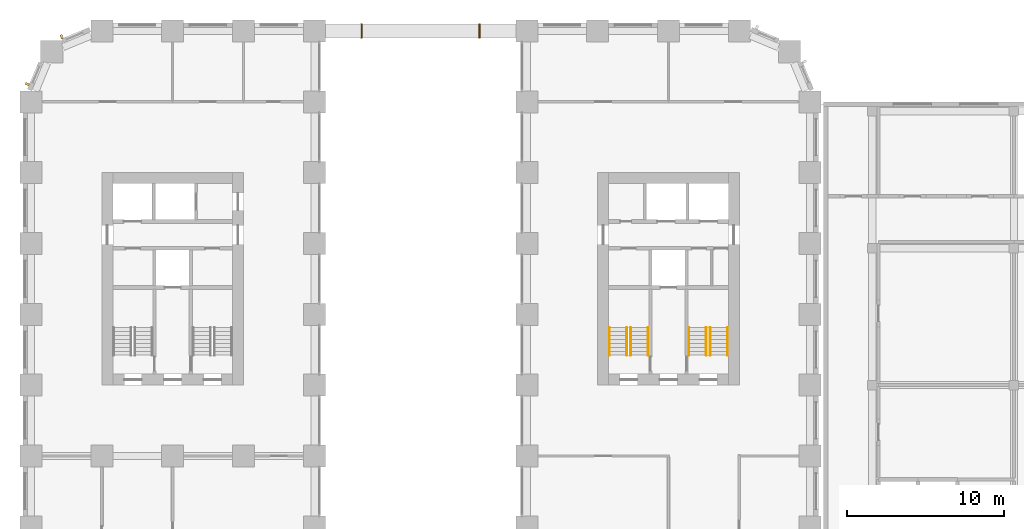
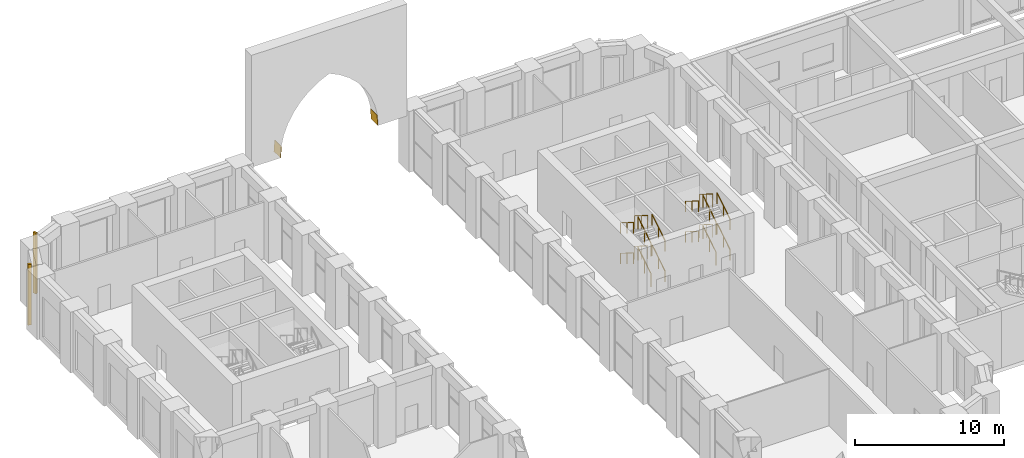
# One storey, part 22 of 25: 16 railings, 2 coverings, 2 shading devices.
"""IFC4 building model written with IfcOpenShell, lengths in metres."""

from ifc_helpers import new_model, si_unit, direction, frame, origin, origin_2d, place, context, subcontext, project, spatial, polyline, rectangle, circle, outline, extrude, material, layer, layer_set, type_object, element, save


model = new_model("IFC4")

# Units and contexts
model_context = context("Model", 3, precision=1e-05, world=origin(), true_north=direction((0.0, 1.0)))
body_context = subcontext(model_context, "Body", "Model", "MODEL_VIEW")
ifc_project = project(units=[si_unit("LENGTHUNIT", "METRE"), si_unit("AREAUNIT", "SQUARE_METRE"), si_unit("VOLUMEUNIT", "CUBIC_METRE"), si_unit("PLANEANGLEUNIT", "RADIAN"), si_unit("MASSUNIT", "GRAM", prefix="KILO")], contexts=[model_context])

# Site, building, storey
site_placement = place(None, origin())
site = spatial("IfcSite", under=ifc_project, at=site_placement, CompositionType="ELEMENT")
building_placement = place(site_placement, origin())
building = spatial("IfcBuilding", under=site, at=building_placement, Name="Girih Gate Residences", CompositionType="ELEMENT")
storey_placement = place(building_placement, frame((0.0, 0.0, 6.0)))
storey = spatial("IfcBuildingStorey", under=building, at=storey_placement, Name="L01", CompositionType="ELEMENT", Elevation=6.0)

# Shading devices
ifc_material_1 = material(Name="Precast concrete C50/60", Category="concrete")
shading_device_type = type_object("IfcShadingDeviceType", Name="Corner rib 150x250", PredefinedType="USERDEFINED", material=ifc_material_1)
for number, where, z_axis, x_axis, name in (
    (1, (1.9443359375, 49.14501953125, 0.0), (0.0, 0.0, 1.0), (-0.923879532511, -0.382683432365, 0.0), "Corner rib NW0045_0495.0"),
    (2, (-0.238037109375, 46.123779296875, 0.0), (0.0, 0.0, 1.0), (-0.382683432365, -0.923879532511, 0.0), "Corner rib NW0013_0482.0"),
):
    element("IfcShadingDevice", number, at=place(storey_placement, frame(where, z_axis=z_axis, x_axis=x_axis)), inside=storey, type_object=shading_device_type, Name=name, ObjectType="FIN", PredefinedType="USERDEFINED", context=body_context, shape_type="SweptSolid", body=[
        extrude(rectangle(XDim=0.14990234375, YDim=0.25, at=origin_2d()), origin(), (0.0, 0.0, 1.0), 5.0),
    ])

# Coverings
ifc_material_2 = material(Name="Glazed ceramic tile")
ifc_layer_1 = layer(ifc_material_2, 0.010009765625, Name="Tile")
ifc_material_3 = material(Name="Tile adhesive mortar")
ifc_layer_2 = layer(ifc_material_3, 0.02001953125, Name="Adhesive bed")
ifc_layer_set = layer_set([ifc_layer_1, ifc_layer_2], Name="Glazed tile lining 30")
covering_type = type_object("IfcCoveringType", Name="Glazed tile lining 30", PredefinedType="CLADDING", material=ifc_layer_set)
for number, where, z_axis, x_axis, name in (
    (3, (20.949951171875, 49.050048828125, 4.5), (-0.997218549662, 0.0, 0.074532973979), (0.074532973979, 0.0, 0.997218549662), "Glazed tile lining N arch 1"),
    (4, (28.483154296875, 49.050048828125, 5.39501953125), (0.997218549662, 0.0, 0.074532973979), (0.074532973979, 0.0, -0.997218549662), "Glazed tile lining N arch 16"),
):
    element("IfcCovering", number, at=place(storey_placement, frame(where, z_axis=z_axis, x_axis=x_axis)), inside=storey, type_object=covering_type, Name=name, PredefinedType="CLADDING", context=body_context, shape_type="SweptSolid", body=[
        extrude(outline(polyline([(0.0, 0.0), (0.8975159272292202, 0.0), (0.8975159272292202, 0.89990234375), (0.0, 0.89990234375), (0.0, 0.0)])), origin(), (0.0, 0.0, -1.0), 0.030029296875),
    ])

# Railings
ifc_material_4 = material(Name="Stainless steel", Category="steel")
railing_type_1 = type_object("IfcRailingType", Name="Stair guard 1100", PredefinedType="GUARDRAIL", material=ifc_material_4)
railing_1_placement = place(storey_placement, frame((43.14990234375, 28.89990234375, 0.15625)))
element("IfcRailing", 5, at=railing_1_placement, inside=storey, type_object=railing_type_1, Name="L01 ST-E1 stair guard 1", PredefinedType="GUARDRAIL", context=body_context, shape_type="SweptSolid", body=[
    extrude(circle(Radius=0.02392578125, at=origin_2d()), frame((0.0, 0.0, 1.076171875), z_axis=(0.0, 0.847998304005, 0.529998940003), x_axis=(-1.0, 0.0, 0.0)), (0.0, 0.0, 1.0), 2.063720703125),
    extrude(circle(Radius=0.02099609375, at=origin_2d()), origin(), (0.0, 0.0, 1.0), 1.052001953125),
    extrude(circle(Radius=0.02099609375, at=origin_2d()), frame((0.0, 0.875, 0.546875)), (0.0, 0.0, 1.0), 1.052001953125),
    extrude(circle(Radius=0.02099609375, at=origin_2d()), frame((0.0, 1.75, 1.09375)), (0.0, 0.0, 1.0), 1.052001953125),
])
railing_2_placement = place(storey_placement, frame((42.89990234375, 30.64990234375, 1.40625)))
element("IfcRailing", 6, at=railing_2_placement, inside=storey, type_object=railing_type_1, Name="L01 ST-E1 stair guard 2", PredefinedType="GUARDRAIL", context=body_context, shape_type="SweptSolid", body=[
    extrude(circle(Radius=0.02392578125, at=origin_2d()), frame((0.0, 0.0, 1.076171875), z_axis=(0.0, -0.847998304005, 0.529998940003), x_axis=(1.0, 0.0, 0.0)), (0.0, 0.0, 1.0), 2.063720703125),
    extrude(circle(Radius=0.02099609375, at=origin_2d()), origin(), (0.0, 0.0, 1.0), 1.052001953125),
    extrude(circle(Radius=0.02099609375, at=origin_2d()), frame((0.0, -0.875, 0.546875)), (0.0, 0.0, 1.0), 1.052001953125),
    extrude(circle(Radius=0.02099609375, at=origin_2d()), frame((0.0, -1.75, 1.09375)), (0.0, 0.0, 1.0), 1.052001953125),
])
railing_3_placement = place(storey_placement, frame((43.14990234375, 28.89990234375, 2.65625)))
element("IfcRailing", 7, at=railing_3_placement, inside=storey, type_object=railing_type_1, Name="L01 ST-E1 stair guard 3", PredefinedType="GUARDRAIL", context=body_context, shape_type="SweptSolid", body=[
    extrude(circle(Radius=0.02392578125, at=origin_2d()), frame((0.0, 0.0, 1.076171875), z_axis=(0.0, 0.847998304005, 0.529998940003), x_axis=(-1.0, 0.0, 0.0)), (0.0, 0.0, 1.0), 2.063720703125),
    extrude(circle(Radius=0.02099609375, at=origin_2d()), origin(), (0.0, 0.0, 1.0), 1.052001953125),
    extrude(circle(Radius=0.02099609375, at=origin_2d()), frame((0.0, 0.875, 0.546875)), (0.0, 0.0, 1.0), 1.052001953125),
    extrude(circle(Radius=0.02099609375, at=origin_2d()), frame((0.0, 1.75, 1.09375)), (0.0, 0.0, 1.0), 1.052001953125),
])
railing_4_placement = place(storey_placement, frame((42.89990234375, 30.64990234375, 3.90625)))
element("IfcRailing", 8, at=railing_4_placement, inside=storey, type_object=railing_type_1, Name="L01 ST-E1 stair guard 4", PredefinedType="GUARDRAIL", context=body_context, shape_type="SweptSolid", body=[
    extrude(circle(Radius=0.02392578125, at=origin_2d()), frame((0.0, 0.0, 1.076171875), z_axis=(0.0, -0.847998304005, 0.529998940003), x_axis=(1.0, 0.0, 0.0)), (0.0, 0.0, 1.0), 2.063720703125),
    extrude(circle(Radius=0.02099609375, at=origin_2d()), origin(), (0.0, 0.0, 1.0), 1.052001953125),
    extrude(circle(Radius=0.02099609375, at=origin_2d()), frame((0.0, -0.875, 0.546875)), (0.0, 0.0, 1.0), 1.052001953125),
    extrude(circle(Radius=0.02099609375, at=origin_2d()), frame((0.0, -1.75, 1.09375)), (0.0, 0.0, 1.0), 1.052001953125),
])
railing_5_placement = place(storey_placement, frame((38.10009765625, 28.89990234375, 0.15625)))
element("IfcRailing", 9, at=railing_5_placement, inside=storey, type_object=railing_type_1, Name="L01 ST-E2 stair guard 1", PredefinedType="GUARDRAIL", context=body_context, shape_type="SweptSolid", body=[
    extrude(circle(Radius=0.02392578125, at=origin_2d()), frame((0.0, 0.0, 1.076171875), z_axis=(0.0, 0.847998304005, 0.529998940003), x_axis=(-1.0, 0.0, 0.0)), (0.0, 0.0, 1.0), 2.063720703125),
    extrude(circle(Radius=0.02099609375, at=origin_2d()), origin(), (0.0, 0.0, 1.0), 1.052001953125),
    extrude(circle(Radius=0.02099609375, at=origin_2d()), frame((0.0, 0.875, 0.546875)), (0.0, 0.0, 1.0), 1.052001953125),
    extrude(circle(Radius=0.02099609375, at=origin_2d()), frame((0.0, 1.75, 1.09375)), (0.0, 0.0, 1.0), 1.052001953125),
])
railing_6_placement = place(storey_placement, frame((37.85009765625, 30.64990234375, 1.40625)))
element("IfcRailing", 10, at=railing_6_placement, inside=storey, type_object=railing_type_1, Name="L01 ST-E2 stair guard 2", PredefinedType="GUARDRAIL", context=body_context, shape_type="SweptSolid", body=[
    extrude(circle(Radius=0.02392578125, at=origin_2d()), frame((0.0, 0.0, 1.076171875), z_axis=(0.0, -0.847998304005, 0.529998940003), x_axis=(1.0, 0.0, 0.0)), (0.0, 0.0, 1.0), 2.063720703125),
    extrude(circle(Radius=0.02099609375, at=origin_2d()), origin(), (0.0, 0.0, 1.0), 1.052001953125),
    extrude(circle(Radius=0.02099609375, at=origin_2d()), frame((0.0, -0.875, 0.546875)), (0.0, 0.0, 1.0), 1.052001953125),
    extrude(circle(Radius=0.02099609375, at=origin_2d()), frame((0.0, -1.75, 1.09375)), (0.0, 0.0, 1.0), 1.052001953125),
])
railing_7_placement = place(storey_placement, frame((38.10009765625, 28.89990234375, 2.65625)))
element("IfcRailing", 11, at=railing_7_placement, inside=storey, type_object=railing_type_1, Name="L01 ST-E2 stair guard 3", PredefinedType="GUARDRAIL", context=body_context, shape_type="SweptSolid", body=[
    extrude(circle(Radius=0.02392578125, at=origin_2d()), frame((0.0, 0.0, 1.076171875), z_axis=(0.0, 0.847998304005, 0.529998940003), x_axis=(-1.0, 0.0, 0.0)), (0.0, 0.0, 1.0), 2.063720703125),
    extrude(circle(Radius=0.02099609375, at=origin_2d()), origin(), (0.0, 0.0, 1.0), 1.052001953125),
    extrude(circle(Radius=0.02099609375, at=origin_2d()), frame((0.0, 0.875, 0.546875)), (0.0, 0.0, 1.0), 1.052001953125),
    extrude(circle(Radius=0.02099609375, at=origin_2d()), frame((0.0, 1.75, 1.09375)), (0.0, 0.0, 1.0), 1.052001953125),
])
railing_8_placement = place(storey_placement, frame((37.85009765625, 30.64990234375, 3.90625)))
element("IfcRailing", 12, at=railing_8_placement, inside=storey, type_object=railing_type_1, Name="L01 ST-E2 stair guard 4", PredefinedType="GUARDRAIL", context=body_context, shape_type="SweptSolid", body=[
    extrude(circle(Radius=0.02392578125, at=origin_2d()), frame((0.0, 0.0, 1.076171875), z_axis=(0.0, -0.847998304005, 0.529998940003), x_axis=(1.0, 0.0, 0.0)), (0.0, 0.0, 1.0), 2.063720703125),
    extrude(circle(Radius=0.02099609375, at=origin_2d()), origin(), (0.0, 0.0, 1.0), 1.052001953125),
    extrude(circle(Radius=0.02099609375, at=origin_2d()), frame((0.0, -0.875, 0.546875)), (0.0, 0.0, 1.0), 1.052001953125),
    extrude(circle(Radius=0.02099609375, at=origin_2d()), frame((0.0, -1.75, 1.09375)), (0.0, 0.0, 1.0), 1.052001953125),
])
railing_type_2 = type_object("IfcRailingType", Name="Stair handrail 900", PredefinedType="HANDRAIL", material=ifc_material_4)
railing_9_placement = place(storey_placement, frame((44.25, 28.89990234375, 0.15625)))
element("IfcRailing", 13, at=railing_9_placement, inside=storey, type_object=railing_type_2, Name="L01 ST-E1 stair handrail 1", PredefinedType="HANDRAIL", context=body_context, shape_type="SweptSolid", body=[
    extrude(circle(Radius=0.02392578125, at=origin_2d()), frame((0.0, 0.0, 0.8857421875), z_axis=(0.0, 0.847998304005, 0.529998940003), x_axis=(-1.0, 0.0, 0.0)), (0.0, 0.0, 1.0), 2.063720703125),
    extrude(circle(Radius=0.02099609375, at=origin_2d()), origin(), (0.0, 0.0, 1.0), 0.86181640625),
    extrude(circle(Radius=0.02099609375, at=origin_2d()), frame((0.0, 0.875, 0.546875)), (0.0, 0.0, 1.0), 0.86181640625),
    extrude(circle(Radius=0.02099609375, at=origin_2d()), frame((0.0, 1.75, 1.09375)), (0.0, 0.0, 1.0), 0.86181640625),
])
railing_10_placement = place(storey_placement, frame((41.800048828125, 30.64990234375, 1.40625)))
element("IfcRailing", 14, at=railing_10_placement, inside=storey, type_object=railing_type_2, Name="L01 ST-E1 stair handrail 2", PredefinedType="HANDRAIL", context=body_context, shape_type="SweptSolid", body=[
    extrude(circle(Radius=0.02392578125, at=origin_2d()), frame((0.0, 0.0, 0.8857421875), z_axis=(0.0, -0.847998304005, 0.529998940003), x_axis=(1.0, 0.0, 0.0)), (0.0, 0.0, 1.0), 2.063720703125),
    extrude(circle(Radius=0.02099609375, at=origin_2d()), origin(), (0.0, 0.0, 1.0), 0.86181640625),
    extrude(circle(Radius=0.02099609375, at=origin_2d()), frame((0.0, -0.875, 0.546875)), (0.0, 0.0, 1.0), 0.86181640625),
    extrude(circle(Radius=0.02099609375, at=origin_2d()), frame((0.0, -1.75, 1.09375)), (0.0, 0.0, 1.0), 0.86181640625),
])
railing_11_placement = place(storey_placement, frame((44.25, 28.89990234375, 2.65625)))
element("IfcRailing", 15, at=railing_11_placement, inside=storey, type_object=railing_type_2, Name="L01 ST-E1 stair handrail 3", PredefinedType="HANDRAIL", context=body_context, shape_type="SweptSolid", body=[
    extrude(circle(Radius=0.02392578125, at=origin_2d()), frame((0.0, 0.0, 0.8857421875), z_axis=(0.0, 0.847998304005, 0.529998940003), x_axis=(-1.0, 0.0, 0.0)), (0.0, 0.0, 1.0), 2.063720703125),
    extrude(circle(Radius=0.02099609375, at=origin_2d()), origin(), (0.0, 0.0, 1.0), 0.86181640625),
    extrude(circle(Radius=0.02099609375, at=origin_2d()), frame((0.0, 0.875, 0.546875)), (0.0, 0.0, 1.0), 0.86181640625),
    extrude(circle(Radius=0.02099609375, at=origin_2d()), frame((0.0, 1.75, 1.09375)), (0.0, 0.0, 1.0), 0.86181640625),
])
railing_12_placement = place(storey_placement, frame((41.800048828125, 30.64990234375, 3.90625)))
element("IfcRailing", 16, at=railing_12_placement, inside=storey, type_object=railing_type_2, Name="L01 ST-E1 stair handrail 4", PredefinedType="HANDRAIL", context=body_context, shape_type="SweptSolid", body=[
    extrude(circle(Radius=0.02392578125, at=origin_2d()), frame((0.0, 0.0, 0.8857421875), z_axis=(0.0, -0.847998304005, 0.529998940003), x_axis=(1.0, 0.0, 0.0)), (0.0, 0.0, 1.0), 2.063720703125),
    extrude(circle(Radius=0.02099609375, at=origin_2d()), origin(), (0.0, 0.0, 1.0), 0.86181640625),
    extrude(circle(Radius=0.02099609375, at=origin_2d()), frame((0.0, -0.875, 0.546875)), (0.0, 0.0, 1.0), 0.86181640625),
    extrude(circle(Radius=0.02099609375, at=origin_2d()), frame((0.0, -1.75, 1.09375)), (0.0, 0.0, 1.0), 0.86181640625),
])
railing_13_placement = place(storey_placement, frame((39.199951171875, 28.89990234375, 0.15625)))
element("IfcRailing", 17, at=railing_13_placement, inside=storey, type_object=railing_type_2, Name="L01 ST-E2 stair handrail 1", PredefinedType="HANDRAIL", context=body_context, shape_type="SweptSolid", body=[
    extrude(circle(Radius=0.02392578125, at=origin_2d()), frame((0.0, 0.0, 0.8857421875), z_axis=(0.0, 0.847998304005, 0.529998940003), x_axis=(-1.0, 0.0, 0.0)), (0.0, 0.0, 1.0), 2.063720703125),
    extrude(circle(Radius=0.02099609375, at=origin_2d()), origin(), (0.0, 0.0, 1.0), 0.86181640625),
    extrude(circle(Radius=0.02099609375, at=origin_2d()), frame((0.0, 0.875, 0.546875)), (0.0, 0.0, 1.0), 0.86181640625),
    extrude(circle(Radius=0.02099609375, at=origin_2d()), frame((0.0, 1.75, 1.09375)), (0.0, 0.0, 1.0), 0.86181640625),
])
railing_14_placement = place(storey_placement, frame((36.75, 30.64990234375, 1.40625)))
element("IfcRailing", 18, at=railing_14_placement, inside=storey, type_object=railing_type_2, Name="L01 ST-E2 stair handrail 2", PredefinedType="HANDRAIL", context=body_context, shape_type="SweptSolid", body=[
    extrude(circle(Radius=0.02392578125, at=origin_2d()), frame((0.0, 0.0, 0.8857421875), z_axis=(0.0, -0.847998304005, 0.529998940003), x_axis=(1.0, 0.0, 0.0)), (0.0, 0.0, 1.0), 2.063720703125),
    extrude(circle(Radius=0.02099609375, at=origin_2d()), origin(), (0.0, 0.0, 1.0), 0.86181640625),
    extrude(circle(Radius=0.02099609375, at=origin_2d()), frame((0.0, -0.875, 0.546875)), (0.0, 0.0, 1.0), 0.86181640625),
    extrude(circle(Radius=0.02099609375, at=origin_2d()), frame((0.0, -1.75, 1.09375)), (0.0, 0.0, 1.0), 0.86181640625),
])
railing_15_placement = place(storey_placement, frame((39.199951171875, 28.89990234375, 2.65625)))
element("IfcRailing", 19, at=railing_15_placement, inside=storey, type_object=railing_type_2, Name="L01 ST-E2 stair handrail 3", PredefinedType="HANDRAIL", context=body_context, shape_type="SweptSolid", body=[
    extrude(circle(Radius=0.02392578125, at=origin_2d()), frame((0.0, 0.0, 0.8857421875), z_axis=(0.0, 0.847998304005, 0.529998940003), x_axis=(-1.0, 0.0, 0.0)), (0.0, 0.0, 1.0), 2.063720703125),
    extrude(circle(Radius=0.02099609375, at=origin_2d()), origin(), (0.0, 0.0, 1.0), 0.86181640625),
    extrude(circle(Radius=0.02099609375, at=origin_2d()), frame((0.0, 0.875, 0.546875)), (0.0, 0.0, 1.0), 0.86181640625),
    extrude(circle(Radius=0.02099609375, at=origin_2d()), frame((0.0, 1.75, 1.09375)), (0.0, 0.0, 1.0), 0.86181640625),
])
railing_16_placement = place(storey_placement, frame((36.75, 30.64990234375, 3.90625)))
element("IfcRailing", 20, at=railing_16_placement, inside=storey, type_object=railing_type_2, Name="L01 ST-E2 stair handrail 4", PredefinedType="HANDRAIL", context=body_context, shape_type="SweptSolid", body=[
    extrude(circle(Radius=0.02392578125, at=origin_2d()), frame((0.0, 0.0, 0.8857421875), z_axis=(0.0, -0.847998304005, 0.529998940003), x_axis=(1.0, 0.0, 0.0)), (0.0, 0.0, 1.0), 2.063720703125),
    extrude(circle(Radius=0.02099609375, at=origin_2d()), origin(), (0.0, 0.0, 1.0), 0.86181640625),
    extrude(circle(Radius=0.02099609375, at=origin_2d()), frame((0.0, -0.875, 0.546875)), (0.0, 0.0, 1.0), 0.86181640625),
    extrude(circle(Radius=0.02099609375, at=origin_2d()), frame((0.0, -1.75, 1.09375)), (0.0, 0.0, 1.0), 0.86181640625),
])

save(model, "model.ifc")
